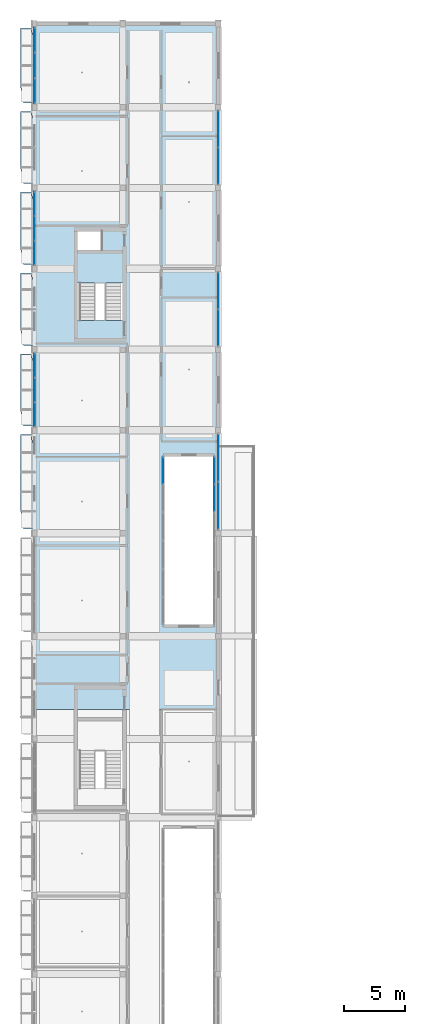
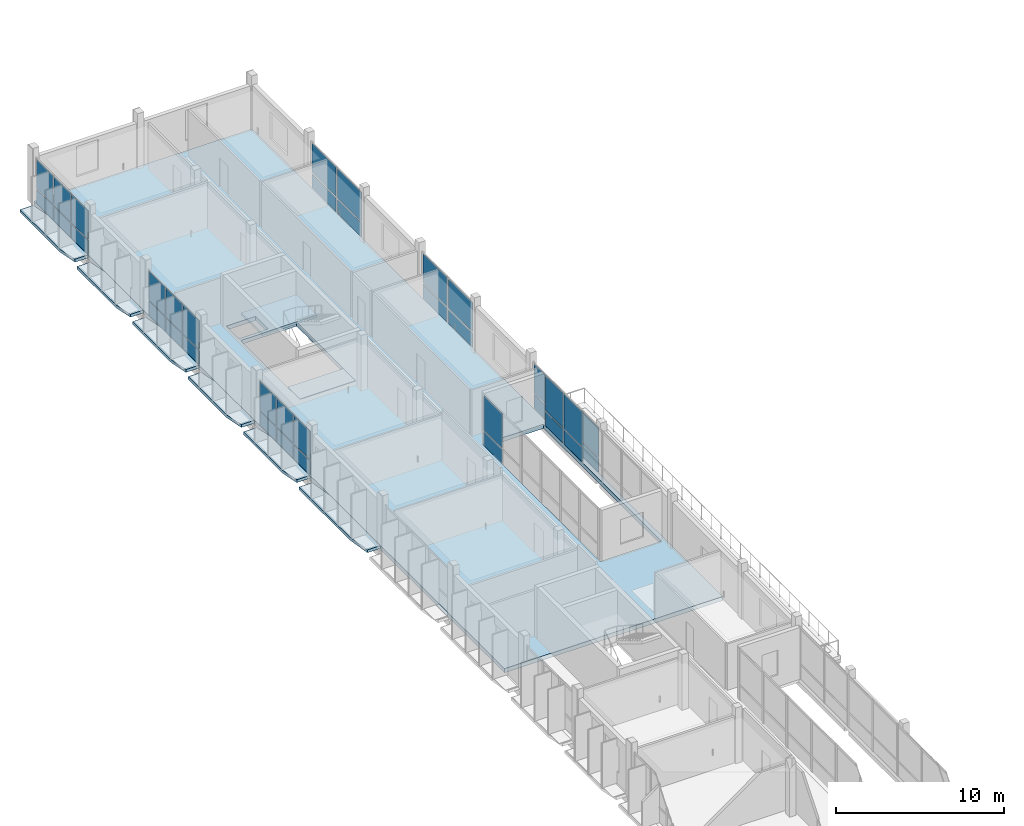
# One storey, part 18 of 48: 36 plates, 9 slabs, 9 elements without a shape of their own.
"""IFC4 building model written with IfcOpenShell, lengths in metres."""

import ifcopenshell
import ifcopenshell.guid

model = None  # the IFC model being written
_history = None  # IfcOwnerHistory: only IFC2X3 demands one
_inside = {}  # id of a spatial element -> (the spatial element, [elements in it])
_under = {}  # id of a project, library or spatial element -> (it, [spatial elements below it])
_declared = {}  # id of a project -> (the project, [libraries it declares])
_typed = {}  # id of a type object -> (the type object, [elements of that type])
_made_of = {}  # id of a material, layer set ... -> (it, [elements and type objects made of it])


def new_model(schema):
    """Start an empty IFC model of exactly this schema.

    Asked for "IFC4X3", IfcOpenShell would pick the latest addendum, in which some entities
    have other attributes; the version numbers below select the first issue.
    IFC2X3 requires an IfcOwnerHistory on every rooted entity: one is made here for all.
    """
    global model, _history
    if schema == "IFC4X3":
        model = ifcopenshell.file(schema_version=(4, 3, 0, 0))
    else:
        model = ifcopenshell.file(schema=schema)
    _inside.clear()
    _under.clear()
    _declared.clear()
    _typed.clear()
    _made_of.clear()
    _history = None
    if model.schema == "IFC2X3":
        org = make("IfcOrganization", Name="unknown")
        user = make(
            "IfcPersonAndOrganization",
            ThePerson=make("IfcPerson", FamilyName="unknown"),
            TheOrganization=org,
        )
        app = make(
            "IfcApplication",
            ApplicationDeveloper=org,
            Version="unknown",
            ApplicationFullName="unknown",
            ApplicationIdentifier="unknown",
        )
        _history = make(
            "IfcOwnerHistory",
            OwningUser=user,
            OwningApplication=app,
            ChangeAction="ADDED",
            CreationDate=0,
        )
    return model


def make(cls, **values):
    """One entity of the class cls with the attributes given. An attribute that is None is left unset."""
    return model.create_entity(
        cls, **{name: value for name, value in values.items() if value is not None}
    )


def rooted(cls, **values):
    """An entity with a GlobalId (a new one), such as an element, a storey or a relation."""
    return make(cls, GlobalId=ifcopenshell.guid.new(), OwnerHistory=_history, **values)


def si_unit(unit_type, name, prefix=None):
    """IfcSIUnit, for example si_unit("LENGTHUNIT", "METRE", prefix="MILLI")."""
    return make("IfcSIUnit", UnitType=unit_type, Prefix=prefix, Name=name)


def derived_unit(unit_type, elements):
    """IfcDerivedUnit: a product of units, each with its exponent."""
    return make(
        "IfcDerivedUnit",
        Elements=[
            make("IfcDerivedUnitElement", Unit=unit, Exponent=power)
            for unit, power in elements
        ],
        UnitType=unit_type,
    )


def assignment(units):
    """IfcUnitAssignment: the units of a project."""
    return None if units is None else make("IfcUnitAssignment", Units=units)


def point(xyz):
    """IfcCartesianPoint."""
    return None if xyz is None else make("IfcCartesianPoint", Coordinates=xyz)


def direction(xyz):
    """IfcDirection."""
    return None if xyz is None else make("IfcDirection", DirectionRatios=xyz)


def frame(location, z_axis=None, x_axis=None):
    """IfcAxis2Placement3D, a coordinate frame: its origin and axes. An axis left out is left unset."""
    return make(
        "IfcAxis2Placement3D",
        Location=point(location),
        Axis=direction(z_axis),
        RefDirection=direction(x_axis),
    )


def frame_2d(location, x_axis=None):
    """IfcAxis2Placement2D, a coordinate frame in the plane: its origin and x axis."""
    return make(
        "IfcAxis2Placement2D", Location=point(location), RefDirection=direction(x_axis)
    )


def origin():
    """The frame at (0, 0, 0) with its axes left unset."""
    return frame((0.0, 0.0, 0.0))


def origin_2d():
    """The frame at (0, 0) in the plane with its x axis left unset."""
    return frame_2d((0.0, 0.0))


def place(relative_to, where):
    """IfcLocalPlacement: puts the frame where relative to a parent placement (None: the world)."""
    return make(
        "IfcLocalPlacement", PlacementRelTo=relative_to, RelativePlacement=where
    )


def context(
    kind, dimensions, precision=None, world=None, true_north=None, identifier=None
):
    """IfcGeometricRepresentationContext, for example the 3D "Model" context."""
    return make(
        "IfcGeometricRepresentationContext",
        ContextIdentifier=identifier,
        ContextType=kind,
        CoordinateSpaceDimension=dimensions,
        Precision=precision,
        WorldCoordinateSystem=world,
        TrueNorth=true_north,
    )


def subcontext(parent, identifier, kind, view, scale=None):
    """IfcGeometricRepresentationSubContext, for example "Body" below "Model"."""
    return make(
        "IfcGeometricRepresentationSubContext",
        ContextIdentifier=identifier,
        ContextType=kind,
        ParentContext=parent,
        TargetScale=scale,
        TargetView=view,
    )


def project(units=None, contexts=None):
    """IfcProject with its units and contexts."""
    return rooted(
        "IfcProject",
        Name="project",
        RepresentationContexts=contexts,
        UnitsInContext=assignment(units),
    )


def spatial(cls, under=None, at=None, **own):
    """A site, building, storey or space (cls), placed at a placement, below another one or the project."""
    s = rooted(cls, ObjectPlacement=at, **own)
    if under is not None:
        _under.setdefault(under.id(), (under, []))[1].append(s)
    return s


def polyline(points):
    """IfcPolyline through the points."""
    return make("IfcPolyline", Points=[point(p) for p in points])


def profile(cls, at=None, kind="AREA", **sizes):
    """A parametric profile (cls). Its sizes go by their IFC names, for example OverallWidth=200.0."""
    return make(cls, ProfileType=kind, Position=at, **sizes)


def rectangle(**sizes):
    """IfcRectangleProfileDef."""
    return profile("IfcRectangleProfileDef", **sizes)


def outline(outer, holes=None, kind="AREA"):
    """IfcArbitraryClosedProfileDef: a profile drawn as a closed curve; with holes, ...WithVoids."""
    if holes is None:
        return make("IfcArbitraryClosedProfileDef", ProfileType=kind, OuterCurve=outer)
    return make(
        "IfcArbitraryProfileDefWithVoids",
        ProfileType=kind,
        OuterCurve=outer,
        InnerCurves=holes,
    )


def extrude(swept, where, along, depth):
    """IfcExtrudedAreaSolid: the profile swept, set in the frame where, extruded along a direction by depth."""
    return make(
        "IfcExtrudedAreaSolid",
        SweptArea=swept,
        Position=where,
        ExtrudedDirection=direction(along),
        Depth=depth,
    )


def shape(context_of_items, identifier, shape_type, items):
    """IfcShapeRepresentation: the items that make up one representation, for example the "Body"."""
    return make(
        "IfcShapeRepresentation",
        ContextOfItems=context_of_items,
        RepresentationIdentifier=identifier,
        RepresentationType=shape_type,
        Items=items,
    )


def material(Name=None, Category=None):
    """IfcMaterial."""
    return make("IfcMaterial", Name=Name, Category=Category)


def layer(
    of_material, thickness, ventilated=None, Name=None, Category=None, Priority=None
):
    """IfcMaterialLayer: one layer of a wall or slab, of a material (None: an air gap)."""
    return make(
        "IfcMaterialLayer",
        Material=of_material,
        LayerThickness=thickness,
        IsVentilated=ventilated,
        Name=Name,
        Category=Category,
        Priority=Priority,
    )


def layer_set(layers, Name=None):
    """IfcMaterialLayerSet."""
    return make("IfcMaterialLayerSet", MaterialLayers=layers, LayerSetName=Name)


def made_of(thing, what):
    """Note that an element or type object is made of a material, layer set ...; save() writes the relation."""
    if what is not None:
        _made_of.setdefault(what.id(), (what, []))[1].append(thing)
    return thing


def type_object(cls, material=None, **own):
    """A type object (cls), such as IfcWallType, which elements share."""
    return made_of(rooted(cls, **own), material)


def element(
    cls,
    number,
    at=None,
    inside=None,
    cuts=None,
    type_object=None,
    material=None,
    context=None,
    identifier="Body",
    shape_type=None,
    held_by="IfcProductDefinitionShape",
    body=None,
    shapes=None,
    **own,
):
    """One element of the class cls, such as IfcWall. Its Tag is "e" and its number.

    at: its placement. inside: the storey or other place that contains it. cuts: it is an
    opening in that element (IfcRelVoidsElement). A single representation is given by context,
    identifier, shape_type and body (its items); several are given by shapes. held_by: the class
    of the entity that holds the representations. save() writes the other relations.
    """
    e = rooted(cls, Tag="e%d" % number, ObjectPlacement=at, **own)
    if body is not None:
        shapes = [shape(context, identifier, shape_type, body)]
    if shapes is not None:
        e.Representation = make(held_by, Representations=shapes)
    if inside is not None:
        _inside.setdefault(inside.id(), (inside, []))[1].append(e)
    if cuts is not None:
        rooted(
            "IfcRelVoidsElement", RelatingBuildingElement=cuts, RelatedOpeningElement=e
        )
    if type_object is not None:
        _typed.setdefault(type_object.id(), (type_object, []))[1].append(e)
    return made_of(e, material)


def aggregate(whole, parts):
    """IfcRelAggregates: a whole, such as a stair, and the parts it consists of."""
    return rooted("IfcRelAggregates", RelatingObject=whole, RelatedObjects=parts)


def save(model, path):
    """Write the relations noted so far, then the file.

    IfcRelAggregates (storeys below a building ...), IfcRelContainedInSpatialStructure (elements
    in a storey), IfcRelDefinesByType, IfcRelAssociatesMaterial and IfcRelDeclares: one each for
    every whole, place, type object, material and project.
    """
    for whole, parts in _under.values():
        aggregate(whole, parts)
    for where, things in _inside.values():
        rooted(
            "IfcRelContainedInSpatialStructure",
            RelatedElements=things,
            RelatingStructure=where,
        )
    for kind, things in _typed.values():
        rooted("IfcRelDefinesByType", RelatedObjects=things, RelatingType=kind)
    for what, things in _made_of.values():
        rooted("IfcRelAssociatesMaterial", RelatedObjects=things, RelatingMaterial=what)
    for by, libraries in _declared.values():
        rooted("IfcRelDeclares", RelatingContext=by, RelatedDefinitions=libraries)
    model.write(path)


model = new_model("IFC4")

# Units and contexts
model_context = context("Model", 3, precision=1e-05, world=origin(), true_north=direction((0.0, 1.0)))
body_context = subcontext(model_context, "Body", "Model", "MODEL_VIEW")
ifc_project = project(units=[si_unit("LENGTHUNIT", "METRE"), si_unit("AREAUNIT", "SQUARE_METRE"), si_unit("VOLUMEUNIT", "CUBIC_METRE"), si_unit("PLANEANGLEUNIT", "RADIAN"), si_unit("MASSUNIT", "GRAM", prefix="KILO"), derived_unit("THERMALTRANSMITTANCEUNIT", [(si_unit("POWERUNIT", "WATT"), 1), (si_unit("LENGTHUNIT", "METRE"), -2), (si_unit("THERMODYNAMICTEMPERATUREUNIT", "KELVIN"), -1)])], contexts=[model_context])

# Site, building, storey
site_placement = place(None, origin())
site = spatial("IfcSite", under=ifc_project, at=site_placement, CompositionType="ELEMENT")
building_placement = place(site_placement, origin())
building = spatial("IfcBuilding", under=site, at=building_placement, Name="Braskholm Square Health Centre", CompositionType="ELEMENT")
storey_placement = place(building_placement, frame((0.0, 0.0, 17.550048828125)))
storey = spatial("IfcBuildingStorey", under=building, at=storey_placement, Name="L05", CompositionType="ELEMENT", Elevation=17.550048828125)

# Curtain wall, plates
ifc_material_1 = material(Name="Low-E triple insulating glass (VLT 0.64)", Category="glass")
curtain_wall_type_1 = type_object("IfcCurtainWallType", Name="UnitisedCurtainWall6200x3650", PredefinedType="NOTDEFINED", material=ifc_material_1)
curtain_wall_1_placement = place(storey_placement, origin())
curtain_wall_1 = element("IfcCurtainWall", 1, at=curtain_wall_1_placement, inside=storey, type_object=curtain_wall_type_1, Name="West Outer unitised curtain wall CW-L05-0035", PredefinedType="NOTDEFINED")
ifc_material_2 = material(Name="Architectural bronze anodised aluminium", Category="aluminium")
plate_type_1 = type_object("IfcPlateType", Name="CurtainPanelSpandrel1850x1020", PredefinedType="CURTAIN_PANEL", material=ifc_material_2)
plate_1_placement = place(storey_placement, frame((4.199951171875, 85.919921875, 0.050048828125), z_axis=(0.0, 0.0, 1.0), x_axis=(0.0, -1.0, 0.0)))
plate_1 = element("IfcPlate", 2, at=plate_1_placement, type_object=plate_type_1, Name="CW-L05-0035 spandrel panel 1", PredefinedType="CURTAIN_PANEL", context=body_context, shape_type="SweptSolid", body=[
    extrude(rectangle(XDim=1.898681640625, YDim=0.035888671875, at=origin_2d()), origin(), (0.0, 0.0, 1.0), 1.02001953125),
])
plate_2_placement = place(storey_placement, frame((4.199951171875, 83.89990234375, 0.050048828125), z_axis=(0.0, 0.0, 1.0), x_axis=(0.0, -1.0, 0.0)))
plate_2 = element("IfcPlate", 3, at=plate_2_placement, type_object=plate_type_1, Name="CW-L05-0035 spandrel panel 2", PredefinedType="CURTAIN_PANEL", context=body_context, shape_type="SweptSolid", body=[
    extrude(rectangle(XDim=1.898681640625, YDim=0.035888671875, at=origin_2d()), origin(), (0.0, 0.0, 1.0), 1.02001953125),
])
plate_3_placement = place(storey_placement, frame((4.199951171875, 81.8798828125, 0.050048828125), z_axis=(0.0, 0.0, 1.0), x_axis=(0.0, -1.0, 0.0)))
plate_3 = element("IfcPlate", 4, at=plate_3_placement, type_object=plate_type_1, Name="CW-L05-0035 spandrel panel 3", PredefinedType="CURTAIN_PANEL", context=body_context, shape_type="SweptSolid", body=[
    extrude(rectangle(XDim=1.898681640625, YDim=0.035888671875, at=origin_2d()), origin(), (0.0, 0.0, 1.0), 1.02001953125),
])

curtain_wall_2_placement = place(storey_placement, origin())
curtain_wall_2 = element("IfcCurtainWall", 5, at=curtain_wall_2_placement, inside=storey, type_object=curtain_wall_type_1, Name="West Outer unitised curtain wall CW-L05-0036", PredefinedType="NOTDEFINED")
plate_4_placement = place(storey_placement, frame((4.199951171875, 99.1201171875, 0.050048828125), z_axis=(0.0, 0.0, 1.0), x_axis=(0.0, -1.0, 0.0)))
plate_4 = element("IfcPlate", 6, at=plate_4_placement, type_object=plate_type_1, Name="CW-L05-0036 spandrel panel 1", PredefinedType="CURTAIN_PANEL", context=body_context, shape_type="SweptSolid", body=[
    extrude(rectangle(XDim=1.898681640625, YDim=0.035888671875, at=origin_2d()), origin(), (0.0, 0.0, 1.0), 1.02001953125),
])
plate_5_placement = place(storey_placement, frame((4.199951171875, 97.10009765625, 0.050048828125), z_axis=(0.0, 0.0, 1.0), x_axis=(0.0, -1.0, 0.0)))
plate_5 = element("IfcPlate", 7, at=plate_5_placement, type_object=plate_type_1, Name="CW-L05-0036 spandrel panel 2", PredefinedType="CURTAIN_PANEL", context=body_context, shape_type="SweptSolid", body=[
    extrude(rectangle(XDim=1.898681640625, YDim=0.035888671875, at=origin_2d()), origin(), (0.0, 0.0, 1.0), 1.02001953125),
])
plate_6_placement = place(storey_placement, frame((4.199951171875, 95.080078125, 0.050048828125), z_axis=(0.0, 0.0, 1.0), x_axis=(0.0, -1.0, 0.0)))
plate_6 = element("IfcPlate", 8, at=plate_6_placement, type_object=plate_type_1, Name="CW-L05-0036 spandrel panel 3", PredefinedType="CURTAIN_PANEL", context=body_context, shape_type="SweptSolid", body=[
    extrude(rectangle(XDim=1.898681640625, YDim=0.035888671875, at=origin_2d()), origin(), (0.0, 0.0, 1.0), 1.02001953125),
])

curtain_wall_3_placement = place(storey_placement, origin())
curtain_wall_3 = element("IfcCurtainWall", 9, at=curtain_wall_3_placement, inside=storey, type_object=curtain_wall_type_1, Name="West Outer unitised curtain wall CW-L05-0037", PredefinedType="NOTDEFINED")
plate_7_placement = place(storey_placement, frame((4.199951171875, 112.48681640625, 0.050048828125), z_axis=(0.0, 0.0, 1.0), x_axis=(0.0, -1.0, 0.0)))
plate_7 = element("IfcPlate", 10, at=plate_7_placement, type_object=plate_type_1, Name="CW-L05-0037 spandrel panel 1", PredefinedType="CURTAIN_PANEL", context=body_context, shape_type="SweptSolid", body=[
    extrude(rectangle(XDim=1.96142578125, YDim=0.035888671875, at=origin_2d()), origin(), (0.0, 0.0, 1.0), 1.02001953125),
])
plate_8_placement = place(storey_placement, frame((4.199951171875, 110.39990234375, 0.050048828125), z_axis=(0.0, 0.0, 1.0), x_axis=(0.0, -1.0, 0.0)))
plate_8 = element("IfcPlate", 11, at=plate_8_placement, type_object=plate_type_1, Name="CW-L05-0037 spandrel panel 2", PredefinedType="CURTAIN_PANEL", context=body_context, shape_type="SweptSolid", body=[
    extrude(rectangle(XDim=1.96142578125, YDim=0.035888671875, at=origin_2d()), origin(), (0.0, 0.0, 1.0), 1.02001953125),
])
plate_9_placement = place(storey_placement, frame((4.199951171875, 108.313232421875, 0.050048828125), z_axis=(0.0, 0.0, 1.0), x_axis=(0.0, -1.0, 0.0)))
plate_9 = element("IfcPlate", 12, at=plate_9_placement, type_object=plate_type_1, Name="CW-L05-0037 spandrel panel 3", PredefinedType="CURTAIN_PANEL", context=body_context, shape_type="SweptSolid", body=[
    extrude(rectangle(XDim=1.96142578125, YDim=0.035888671875, at=origin_2d()), origin(), (0.0, 0.0, 1.0), 1.02001953125),
])

# Curtain wall, plate
curtain_wall_type_2 = type_object("IfcCurtainWallType", Name="UnitisedCurtainWall4800x3800", PredefinedType="NOTDEFINED", material=ifc_material_1)
curtain_wall_4_placement = place(storey_placement, origin())
curtain_wall_4 = element("IfcCurtainWall", 13, at=curtain_wall_4_placement, inside=storey, type_object=curtain_wall_type_2, Name="WC2 Court W unitised curtain wall CW-L05-0313", PredefinedType="NOTDEFINED")
plate_type_2 = type_object("IfcPlateType", Name="CurtainPanelSpandrel2150x1020", PredefinedType="CURTAIN_PANEL", material=ifc_material_2)
plate_10_placement = place(storey_placement, frame((14.699951171875, 77.31591796875, 0.050048828125), z_axis=(0.0, 0.0, 1.0), x_axis=(0.0, 1.0, 0.0)))
plate_10 = element("IfcPlate", 14, at=plate_10_placement, type_object=plate_type_2, Name="CW-L05-0313 spandrel panel 2", PredefinedType="CURTAIN_PANEL", context=body_context, shape_type="SweptSolid", body=[
    extrude(rectangle(XDim=2.125244140625, YDim=0.035888671875, at=origin_2d()), origin(), (0.0, 0.0, 1.0), 1.02001953125),
])

# Curtain wall, plates
curtain_wall_5_placement = place(storey_placement, origin())
curtain_wall_5 = element("IfcCurtainWall", 15, at=curtain_wall_5_placement, inside=storey, type_object=curtain_wall_type_2, Name="WC2 Court E unitised curtain wall CW-L05-0314", PredefinedType="NOTDEFINED")
plate_11_placement = place(storey_placement, frame((18.89990234375, 77.31591796875, 0.050048828125), z_axis=(0.0, 0.0, 1.0), x_axis=(0.0, -1.0, 0.0)))
plate_11 = element("IfcPlate", 16, at=plate_11_placement, type_object=plate_type_2, Name="CW-L05-0314 spandrel panel 1", PredefinedType="CURTAIN_PANEL", context=body_context, shape_type="SweptSolid", body=[
    extrude(rectangle(XDim=2.125244140625, YDim=0.035888671875, at=origin_2d()), origin(), (0.0, 0.0, 1.0), 1.02001953125),
])
plate_12_placement = place(storey_placement, frame((18.89990234375, 75.08203125, 0.050048828125), z_axis=(0.0, 0.0, 1.0), x_axis=(0.0, -1.0, 0.0)))
plate_12 = element("IfcPlate", 17, at=plate_12_placement, type_object=plate_type_2, Name="CW-L05-0314 spandrel panel 2", PredefinedType="CURTAIN_PANEL", context=body_context, shape_type="SweptSolid", body=[
    extrude(rectangle(XDim=2.125244140625, YDim=0.035888671875, at=origin_2d()), origin(), (0.0, 0.0, 1.0), 1.02001953125),
])

curtain_wall_6_placement = place(storey_placement, origin())
curtain_wall_6 = element("IfcCurtainWall", 18, at=curtain_wall_6_placement, inside=storey, type_object=curtain_wall_type_1, Name="West Valley unitised curtain wall CW-L05-0107", PredefinedType="NOTDEFINED")
plate_type_3 = type_object("IfcPlateType", Name="CurtainPanelSpandrel2750x1020", PredefinedType="CURTAIN_PANEL", material=ifc_material_2)
plate_13_placement = place(storey_placement, frame((19.199951171875, 88.98828125, 0.050048828125), z_axis=(0.0, 0.0, 1.0), x_axis=(0.0, 1.0, 0.0)))
plate_13 = element("IfcPlate", 19, at=plate_13_placement, type_object=plate_type_3, Name="CW-L05-0107 spandrel panel 1", PredefinedType="CURTAIN_PANEL", context=body_context, shape_type="SweptSolid", body=[
    extrude(rectangle(XDim=2.87646484375, YDim=0.035888671875, at=origin_2d()), origin(), (0.0, 0.0, 1.0), 1.02001953125),
])
plate_14_placement = place(storey_placement, frame((19.199951171875, 92.01171875, 0.050048828125), z_axis=(0.0, 0.0, 1.0), x_axis=(0.0, 1.0, 0.0)))
plate_14 = element("IfcPlate", 20, at=plate_14_placement, type_object=plate_type_3, Name="CW-L05-0107 spandrel panel 2", PredefinedType="CURTAIN_PANEL", context=body_context, shape_type="SweptSolid", body=[
    extrude(rectangle(XDim=2.87646484375, YDim=0.035888671875, at=origin_2d()), origin(), (0.0, 0.0, 1.0), 1.02001953125),
])

curtain_wall_7_placement = place(storey_placement, origin())
curtain_wall_7 = element("IfcCurtainWall", 21, at=curtain_wall_7_placement, inside=storey, type_object=curtain_wall_type_1, Name="West Valley unitised curtain wall CW-L05-0108", PredefinedType="NOTDEFINED")
plate_15_placement = place(storey_placement, frame((19.199951171875, 102.1884765625, 0.050048828125), z_axis=(0.0, 0.0, 1.0), x_axis=(0.0, 1.0, 0.0)))
plate_15 = element("IfcPlate", 22, at=plate_15_placement, type_object=plate_type_3, Name="CW-L05-0108 spandrel panel 1", PredefinedType="CURTAIN_PANEL", context=body_context, shape_type="SweptSolid", body=[
    extrude(rectangle(XDim=2.87646484375, YDim=0.035888671875, at=origin_2d()), origin(), (0.0, 0.0, 1.0), 1.02001953125),
])
plate_16_placement = place(storey_placement, frame((19.199951171875, 105.211669921875, 0.050048828125), z_axis=(0.0, 0.0, 1.0), x_axis=(0.0, 1.0, 0.0)))
plate_16 = element("IfcPlate", 23, at=plate_16_placement, type_object=plate_type_3, Name="CW-L05-0108 spandrel panel 2", PredefinedType="CURTAIN_PANEL", context=body_context, shape_type="SweptSolid", body=[
    extrude(rectangle(XDim=2.87646484375, YDim=0.035888671875, at=origin_2d()), origin(), (0.0, 0.0, 1.0), 1.02001953125),
])

curtain_wall_8_placement = place(storey_placement, origin())
curtain_wall_8 = element("IfcCurtainWall", 24, at=curtain_wall_8_placement, inside=storey, type_object=curtain_wall_type_1, Name="West Valley unitised curtain wall CW-L05-0106", PredefinedType="NOTDEFINED")
plate_type_4 = type_object("IfcPlateType", Name="CurtainPanelSpandrel3150x1020", PredefinedType="CURTAIN_PANEL", material=ifc_material_2)
plate_17_placement = place(storey_placement, frame((19.199951171875, 74.44384765625, 0.050048828125), z_axis=(0.0, 0.0, 1.0), x_axis=(0.0, 1.0, 0.0)))
plate_17 = element("IfcPlate", 25, at=plate_17_placement, type_object=plate_type_4, Name="CW-L05-0106 spandrel panel 1", PredefinedType="CURTAIN_PANEL", context=body_context, shape_type="SweptSolid", body=[
    extrude(rectangle(XDim=3.722412109375, YDim=0.035888671875, at=origin_2d()), origin(), (0.0, 0.0, 1.0), 1.02001953125),
])
plate_18_placement = place(storey_placement, frame((19.199951171875, 78.356201171875, 0.050048828125), z_axis=(0.0, 0.0, 1.0), x_axis=(0.0, 1.0, 0.0)))
plate_18 = element("IfcPlate", 26, at=plate_18_placement, type_object=plate_type_4, Name="CW-L05-0106 spandrel panel 2", PredefinedType="CURTAIN_PANEL", context=body_context, shape_type="SweptSolid", body=[
    extrude(rectangle(XDim=3.722412109375, YDim=0.035888671875, at=origin_2d()), origin(), (0.0, 0.0, 1.0), 1.02001953125),
])

# Plate
plate_type_5 = type_object("IfcPlateType", Name="CurtainPanelVision1850x2120", PredefinedType="CURTAIN_PANEL", material=ifc_material_1)
plate_19_placement = place(storey_placement, frame((4.199951171875, 85.919921875, 1.169921875), z_axis=(0.0, 0.0, 1.0), x_axis=(0.0, -1.0, 0.0)))
plate_19 = element("IfcPlate", 27, at=plate_19_placement, type_object=plate_type_5, Name="CW-L05-0035 vision glass panel 1", PredefinedType="CURTAIN_PANEL", context=body_context, shape_type="SweptSolid", body=[
    extrude(rectangle(XDim=1.898681640625, YDim=0.035888671875, at=origin_2d()), origin(), (0.0, 0.0, 1.0), 2.070068359375),
])

plate_20_placement = place(storey_placement, frame((4.199951171875, 83.89990234375, 1.169921875), z_axis=(0.0, 0.0, 1.0), x_axis=(0.0, -1.0, 0.0)))
plate_20 = element("IfcPlate", 28, at=plate_20_placement, type_object=plate_type_5, Name="CW-L05-0035 vision glass panel 2", PredefinedType="CURTAIN_PANEL", context=body_context, shape_type="SweptSolid", body=[
    extrude(rectangle(XDim=1.898681640625, YDim=0.035888671875, at=origin_2d()), origin(), (0.0, 0.0, 1.0), 2.070068359375),
])

plate_21_placement = place(storey_placement, frame((4.199951171875, 81.8798828125, 1.169921875), z_axis=(0.0, 0.0, 1.0), x_axis=(0.0, -1.0, 0.0)))
plate_21 = element("IfcPlate", 29, at=plate_21_placement, type_object=plate_type_5, Name="CW-L05-0035 vision glass panel 3", PredefinedType="CURTAIN_PANEL", context=body_context, shape_type="SweptSolid", body=[
    extrude(rectangle(XDim=1.898681640625, YDim=0.035888671875, at=origin_2d()), origin(), (0.0, 0.0, 1.0), 2.070068359375),
])

aggregate(curtain_wall_1, [plate_1, plate_19, plate_2, plate_20, plate_3, plate_21])

plate_22_placement = place(storey_placement, frame((4.199951171875, 99.1201171875, 1.169921875), z_axis=(0.0, 0.0, 1.0), x_axis=(0.0, -1.0, 0.0)))
plate_22 = element("IfcPlate", 30, at=plate_22_placement, type_object=plate_type_5, Name="CW-L05-0036 vision glass panel 1", PredefinedType="CURTAIN_PANEL", context=body_context, shape_type="SweptSolid", body=[
    extrude(rectangle(XDim=1.898681640625, YDim=0.035888671875, at=origin_2d()), origin(), (0.0, 0.0, 1.0), 2.070068359375),
])

plate_23_placement = place(storey_placement, frame((4.199951171875, 97.10009765625, 1.169921875), z_axis=(0.0, 0.0, 1.0), x_axis=(0.0, -1.0, 0.0)))
plate_23 = element("IfcPlate", 31, at=plate_23_placement, type_object=plate_type_5, Name="CW-L05-0036 vision glass panel 2", PredefinedType="CURTAIN_PANEL", context=body_context, shape_type="SweptSolid", body=[
    extrude(rectangle(XDim=1.898681640625, YDim=0.035888671875, at=origin_2d()), origin(), (0.0, 0.0, 1.0), 2.070068359375),
])

plate_24_placement = place(storey_placement, frame((4.199951171875, 95.080078125, 1.169921875), z_axis=(0.0, 0.0, 1.0), x_axis=(0.0, -1.0, 0.0)))
plate_24 = element("IfcPlate", 32, at=plate_24_placement, type_object=plate_type_5, Name="CW-L05-0036 vision glass panel 3", PredefinedType="CURTAIN_PANEL", context=body_context, shape_type="SweptSolid", body=[
    extrude(rectangle(XDim=1.898681640625, YDim=0.035888671875, at=origin_2d()), origin(), (0.0, 0.0, 1.0), 2.070068359375),
])

aggregate(curtain_wall_2, [plate_4, plate_22, plate_5, plate_23, plate_6, plate_24])

plate_25_placement = place(storey_placement, frame((4.199951171875, 112.48681640625, 1.169921875), z_axis=(0.0, 0.0, 1.0), x_axis=(0.0, -1.0, 0.0)))
plate_25 = element("IfcPlate", 33, at=plate_25_placement, type_object=plate_type_5, Name="CW-L05-0037 vision glass panel 1", PredefinedType="CURTAIN_PANEL", context=body_context, shape_type="SweptSolid", body=[
    extrude(rectangle(XDim=1.96142578125, YDim=0.035888671875, at=origin_2d()), origin(), (0.0, 0.0, 1.0), 2.070068359375),
])

plate_26_placement = place(storey_placement, frame((4.199951171875, 110.39990234375, 1.169921875), z_axis=(0.0, 0.0, 1.0), x_axis=(0.0, -1.0, 0.0)))
plate_26 = element("IfcPlate", 34, at=plate_26_placement, type_object=plate_type_5, Name="CW-L05-0037 vision glass panel 2", PredefinedType="CURTAIN_PANEL", context=body_context, shape_type="SweptSolid", body=[
    extrude(rectangle(XDim=1.96142578125, YDim=0.035888671875, at=origin_2d()), origin(), (0.0, 0.0, 1.0), 2.070068359375),
])

plate_27_placement = place(storey_placement, frame((4.199951171875, 108.313232421875, 1.169921875), z_axis=(0.0, 0.0, 1.0), x_axis=(0.0, -1.0, 0.0)))
plate_27 = element("IfcPlate", 35, at=plate_27_placement, type_object=plate_type_5, Name="CW-L05-0037 vision glass panel 3", PredefinedType="CURTAIN_PANEL", context=body_context, shape_type="SweptSolid", body=[
    extrude(rectangle(XDim=1.96142578125, YDim=0.035888671875, at=origin_2d()), origin(), (0.0, 0.0, 1.0), 2.070068359375),
])

aggregate(curtain_wall_3, [plate_7, plate_25, plate_8, plate_26, plate_9, plate_27])

plate_type_6 = type_object("IfcPlateType", Name="CurtainPanelVision2150x2520", PredefinedType="CURTAIN_PANEL", material=ifc_material_1)
plate_28_placement = place(storey_placement, frame((14.699951171875, 77.31591796875, 1.169921875), z_axis=(0.0, 0.0, 1.0), x_axis=(0.0, 1.0, 0.0)))
plate_28 = element("IfcPlate", 36, at=plate_28_placement, type_object=plate_type_6, Name="CW-L05-0313 vision glass panel 2", PredefinedType="CURTAIN_PANEL", context=body_context, shape_type="SweptSolid", body=[
    extrude(rectangle(XDim=2.125244140625, YDim=0.035888671875, at=origin_2d()), origin(), (0.0, 0.0, 1.0), 2.489990234375),
])

aggregate(curtain_wall_4, [plate_10, plate_28])

plate_29_placement = place(storey_placement, frame((18.89990234375, 77.31591796875, 1.169921875), z_axis=(0.0, 0.0, 1.0), x_axis=(0.0, -1.0, 0.0)))
plate_29 = element("IfcPlate", 37, at=plate_29_placement, type_object=plate_type_6, Name="CW-L05-0314 vision glass panel 1", PredefinedType="CURTAIN_PANEL", context=body_context, shape_type="SweptSolid", body=[
    extrude(rectangle(XDim=2.125244140625, YDim=0.035888671875, at=origin_2d()), origin(), (0.0, 0.0, 1.0), 2.489990234375),
])

plate_30_placement = place(storey_placement, frame((18.89990234375, 75.08203125, 1.169921875), z_axis=(0.0, 0.0, 1.0), x_axis=(0.0, -1.0, 0.0)))
plate_30 = element("IfcPlate", 38, at=plate_30_placement, type_object=plate_type_6, Name="CW-L05-0314 vision glass panel 2", PredefinedType="CURTAIN_PANEL", context=body_context, shape_type="SweptSolid", body=[
    extrude(rectangle(XDim=2.125244140625, YDim=0.035888671875, at=origin_2d()), origin(), (0.0, 0.0, 1.0), 2.489990234375),
])

aggregate(curtain_wall_5, [plate_11, plate_29, plate_12, plate_30])

plate_type_7 = type_object("IfcPlateType", Name="CurtainPanelVision2750x2120", PredefinedType="CURTAIN_PANEL", material=ifc_material_1)
plate_31_placement = place(storey_placement, frame((19.199951171875, 88.98828125, 1.169921875), z_axis=(0.0, 0.0, 1.0), x_axis=(0.0, 1.0, 0.0)))
plate_31 = element("IfcPlate", 39, at=plate_31_placement, type_object=plate_type_7, Name="CW-L05-0107 vision glass panel 1", PredefinedType="CURTAIN_PANEL", context=body_context, shape_type="SweptSolid", body=[
    extrude(rectangle(XDim=2.87646484375, YDim=0.035888671875, at=origin_2d()), origin(), (0.0, 0.0, 1.0), 2.110107421875),
])

plate_32_placement = place(storey_placement, frame((19.199951171875, 92.01171875, 1.169921875), z_axis=(0.0, 0.0, 1.0), x_axis=(0.0, 1.0, 0.0)))
plate_32 = element("IfcPlate", 40, at=plate_32_placement, type_object=plate_type_7, Name="CW-L05-0107 vision glass panel 2", PredefinedType="CURTAIN_PANEL", context=body_context, shape_type="SweptSolid", body=[
    extrude(rectangle(XDim=2.87646484375, YDim=0.035888671875, at=origin_2d()), origin(), (0.0, 0.0, 1.0), 2.110107421875),
])

aggregate(curtain_wall_6, [plate_13, plate_31, plate_14, plate_32])

plate_33_placement = place(storey_placement, frame((19.199951171875, 102.1884765625, 1.169921875), z_axis=(0.0, 0.0, 1.0), x_axis=(0.0, 1.0, 0.0)))
plate_33 = element("IfcPlate", 41, at=plate_33_placement, type_object=plate_type_7, Name="CW-L05-0108 vision glass panel 1", PredefinedType="CURTAIN_PANEL", context=body_context, shape_type="SweptSolid", body=[
    extrude(rectangle(XDim=2.87646484375, YDim=0.035888671875, at=origin_2d()), origin(), (0.0, 0.0, 1.0), 2.110107421875),
])

plate_34_placement = place(storey_placement, frame((19.199951171875, 105.211669921875, 1.169921875), z_axis=(0.0, 0.0, 1.0), x_axis=(0.0, 1.0, 0.0)))
plate_34 = element("IfcPlate", 42, at=plate_34_placement, type_object=plate_type_7, Name="CW-L05-0108 vision glass panel 2", PredefinedType="CURTAIN_PANEL", context=body_context, shape_type="SweptSolid", body=[
    extrude(rectangle(XDim=2.87646484375, YDim=0.035888671875, at=origin_2d()), origin(), (0.0, 0.0, 1.0), 2.110107421875),
])

aggregate(curtain_wall_7, [plate_15, plate_33, plate_16, plate_34])

plate_type_8 = type_object("IfcPlateType", Name="CurtainPanelVision3150x2120", PredefinedType="CURTAIN_PANEL", material=ifc_material_1)
plate_35_placement = place(storey_placement, frame((19.199951171875, 74.44384765625, 1.169921875), z_axis=(0.0, 0.0, 1.0), x_axis=(0.0, 1.0, 0.0)))
plate_35 = element("IfcPlate", 43, at=plate_35_placement, type_object=plate_type_8, Name="CW-L05-0106 vision glass panel 1", PredefinedType="CURTAIN_PANEL", context=body_context, shape_type="SweptSolid", body=[
    extrude(rectangle(XDim=3.722412109375, YDim=0.035888671875, at=origin_2d()), origin(), (0.0, 0.0, 1.0), 2.110107421875),
])

plate_36_placement = place(storey_placement, frame((19.199951171875, 78.356201171875, 1.169921875), z_axis=(0.0, 0.0, 1.0), x_axis=(0.0, 1.0, 0.0)))
plate_36 = element("IfcPlate", 44, at=plate_36_placement, type_object=plate_type_8, Name="CW-L05-0106 vision glass panel 2", PredefinedType="CURTAIN_PANEL", context=body_context, shape_type="SweptSolid", body=[
    extrude(rectangle(XDim=3.722412109375, YDim=0.035888671875, at=origin_2d()), origin(), (0.0, 0.0, 1.0), 2.110107421875),
])

aggregate(curtain_wall_8, [plate_17, plate_35, plate_18, plate_36])

# Slabs
ifc_material_3 = material(Name="Precast concrete C40/50 architectural white", Category="concrete")
ifc_layer_1 = layer(ifc_material_3, 0.2099609375)
ifc_layer_set_1 = layer_set([ifc_layer_1], Name="Precast concrete C40/50 architectural white")
slab_type_1 = type_object("IfcSlabType", Name="PitchedAndCrownRoofSlab150", PredefinedType="ROOF", material=ifc_layer_set_1)
slab_1_placement = place(storey_placement, frame((0.0, 0.0, -0.2099609375)))
element("IfcSlab", 45, at=slab_1_placement, inside=storey, type_object=slab_type_1, Name="Level L05 West precast planter ledge 059", PredefinedType="ROOF", context=body_context, shape_type="SweptSolid", body=[
    extrude(outline(polyline([(3.302978515625, 72.550048828125), (4.199951171875, 72.550048828125), (4.199951171875, 78.555908203125), (3.947021484375, 80.25), (3.050048828125, 80.25), (3.050048828125, 74.243896484375), (3.302978515625, 72.550048828125)])), origin(), (0.0, 0.0, 1.0), 0.2099609375),
])
slab_2_placement = place(storey_placement, frame((0.0, 0.0, -0.2099609375)))
element("IfcSlab", 46, at=slab_2_placement, inside=storey, type_object=slab_type_1, Name="Level L05 West precast planter ledge 060", PredefinedType="ROOF", context=body_context, shape_type="SweptSolid", body=[
    extrude(outline(polyline([(3.302978515625, 80.949951171875), (4.199951171875, 80.949951171875), (4.199951171875, 85.552001953125), (3.947021484375, 86.85009765625), (3.050048828125, 86.85009765625), (3.050048828125, 82.248046875), (3.302978515625, 80.949951171875)])), origin(), (0.0, 0.0, 1.0), 0.2099609375),
])
slab_3_placement = place(storey_placement, frame((0.0, 0.0, -0.2099609375)))
element("IfcSlab", 47, at=slab_3_placement, inside=storey, type_object=slab_type_1, Name="Level L05 West precast planter ledge 061", PredefinedType="ROOF", context=body_context, shape_type="SweptSolid", body=[
    extrude(outline(polyline([(3.302978515625, 87.550048828125), (4.199951171875, 87.550048828125), (4.199951171875, 92.152099609375), (3.947021484375, 93.449951171875), (3.050048828125, 93.449951171875), (3.050048828125, 88.847900390625), (3.302978515625, 87.550048828125)])), origin(), (0.0, 0.0, 1.0), 0.2099609375),
])
slab_4_placement = place(storey_placement, frame((0.0, 0.0, -0.2099609375)))
element("IfcSlab", 48, at=slab_4_placement, inside=storey, type_object=slab_type_1, Name="Level L05 West precast planter ledge 062", PredefinedType="ROOF", context=body_context, shape_type="SweptSolid", body=[
    extrude(outline(polyline([(3.302978515625, 94.14990234375), (4.199951171875, 94.14990234375), (4.199951171875, 98.751953125), (3.947021484375, 100.050048828125), (3.050048828125, 100.050048828125), (3.050048828125, 95.447998046875), (3.302978515625, 94.14990234375)])), origin(), (0.0, 0.0, 1.0), 0.2099609375),
])
slab_5_placement = place(storey_placement, frame((0.0, 0.0, -0.2099609375)))
element("IfcSlab", 49, at=slab_5_placement, inside=storey, type_object=slab_type_1, Name="Level L05 West precast planter ledge 063", PredefinedType="ROOF", context=body_context, shape_type="SweptSolid", body=[
    extrude(outline(polyline([(3.302978515625, 100.75), (4.199951171875, 100.75), (4.199951171875, 105.35205078125), (3.947021484375, 106.64990234375), (3.050048828125, 106.64990234375), (3.050048828125, 102.048095703125), (3.302978515625, 100.75)])), origin(), (0.0, 0.0, 1.0), 0.2099609375),
])
slab_6_placement = place(storey_placement, frame((0.0, 0.0, -0.2099609375)))
element("IfcSlab", 50, at=slab_6_placement, inside=storey, type_object=slab_type_1, Name="Level L05 West precast planter ledge 064", PredefinedType="ROOF", context=body_context, shape_type="SweptSolid", body=[
    extrude(outline(polyline([(3.302978515625, 107.35009765625), (4.199951171875, 107.35009765625), (4.199951171875, 112.10791015625), (3.947021484375, 113.449951171875), (3.050048828125, 113.449951171875), (3.050048828125, 108.69189453125), (3.302978515625, 107.35009765625)])), origin(), (0.0, 0.0, 1.0), 0.2099609375),
])

# Stair, slabs
ifc_material_4 = material(Name="Concrete C35/45 (f'c = 35 MPa)", Category="concrete")
stair_type = type_object("IfcStairType", Name="ExitReturnStairL04", PredefinedType="HALF_TURN_STAIR", material=ifc_material_4)
stair_placement = place(storey_placement, origin())
stair = element("IfcStair", 51, at=stair_placement, inside=storey, type_object=stair_type, Name="Enclosed exit stair ST-03 L05 to L06", PredefinedType="HALF_TURN_STAIR")
ifc_layer_2 = layer(ifc_material_4, 0.179931640625)
ifc_layer_set_2 = layer_set([ifc_layer_2], Name="Concrete C35/45 (f'c = 35 MPa)")
slab_type_2 = type_object("IfcSlabType", Name="StairLandingSlab180", PredefinedType="LANDING", material=ifc_layer_set_2)
slab_7_placement = place(storey_placement, frame((0.0, 0.0, 1.844970703125)))
slab_7 = element("IfcSlab", 52, at=slab_7_placement, type_object=slab_type_2, Name="Stair ST-03 half-landing L05", PredefinedType="LANDING", context=body_context, shape_type="SweptSolid", body=[
    extrude(outline(polyline([(7.64990234375, 92.639892578125), (11.449951171875, 92.639892578125), (11.449951171875, 95.10009765625), (7.64990234375, 95.10009765625), (7.64990234375, 92.639892578125)])), origin(), (0.0, 0.0, 1.0), 0.179931640625),
])
slab_8_placement = place(storey_placement, frame((0.0, 0.0, -0.179931640625)))
slab_8 = element("IfcSlab", 53, at=slab_8_placement, type_object=slab_type_2, Name="Stair ST-03 floor landing L05", PredefinedType="LANDING", context=body_context, shape_type="SweptSolid", body=[
    extrude(outline(polyline([(7.64990234375, 88.10009765625), (11.449951171875, 88.10009765625), (11.449951171875, 89.56005859375), (7.64990234375, 89.56005859375), (7.64990234375, 88.10009765625)])), origin(), (0.0, 0.0, 1.0), 0.179931640625),
])
aggregate(stair, [slab_7, slab_8])

# Slab
ifc_layer_3 = layer(ifc_material_4, 0.300048828125)
ifc_layer_set_3 = layer_set([ifc_layer_3], Name="Concrete C35/45 (f'c = 35 MPa)")
slab_type_3 = type_object("IfcSlabType", Name="TwoWayClinicalFlatSlab300", PredefinedType="FLOOR", material=ifc_layer_set_3)
slab_9_placement = place(storey_placement, frame((0.0, 0.0, -0.300048828125)))
element("IfcSlab", 54, at=slab_9_placement, inside=storey, type_object=slab_type_3, Name="Level L05 V4W West North chronic-care consulting slab", PredefinedType="FLOOR", context=body_context, shape_type="SweptSolid", body=[
    extrude(outline(polyline([(4.199951171875, 57.800048828125), (19.199951171875, 57.800048828125), (19.199951171875, 113.800048828125), (4.199951171875, 113.800048828125), (4.199951171875, 57.800048828125)]), holes=[polyline([(7.6298828125, 88.080078125), (11.469970703125, 88.080078125), (11.469970703125, 95.1201171875), (7.6298828125, 95.1201171875), (7.6298828125, 88.080078125)]), polyline([(7.6298828125, 95.35009765625), (9.64990234375, 95.35009765625), (9.64990234375, 96.85009765625), (7.6298828125, 96.85009765625), (7.6298828125, 95.35009765625)]), polyline([(14.699951171875, 64.60009765625), (18.89990234375, 64.60009765625), (18.89990234375, 78.60009765625), (14.699951171875, 78.60009765625), (14.699951171875, 64.60009765625)])]), origin(), (0.0, 0.0, 1.0), 0.300048828125),
])

save(model, "model.ifc")
